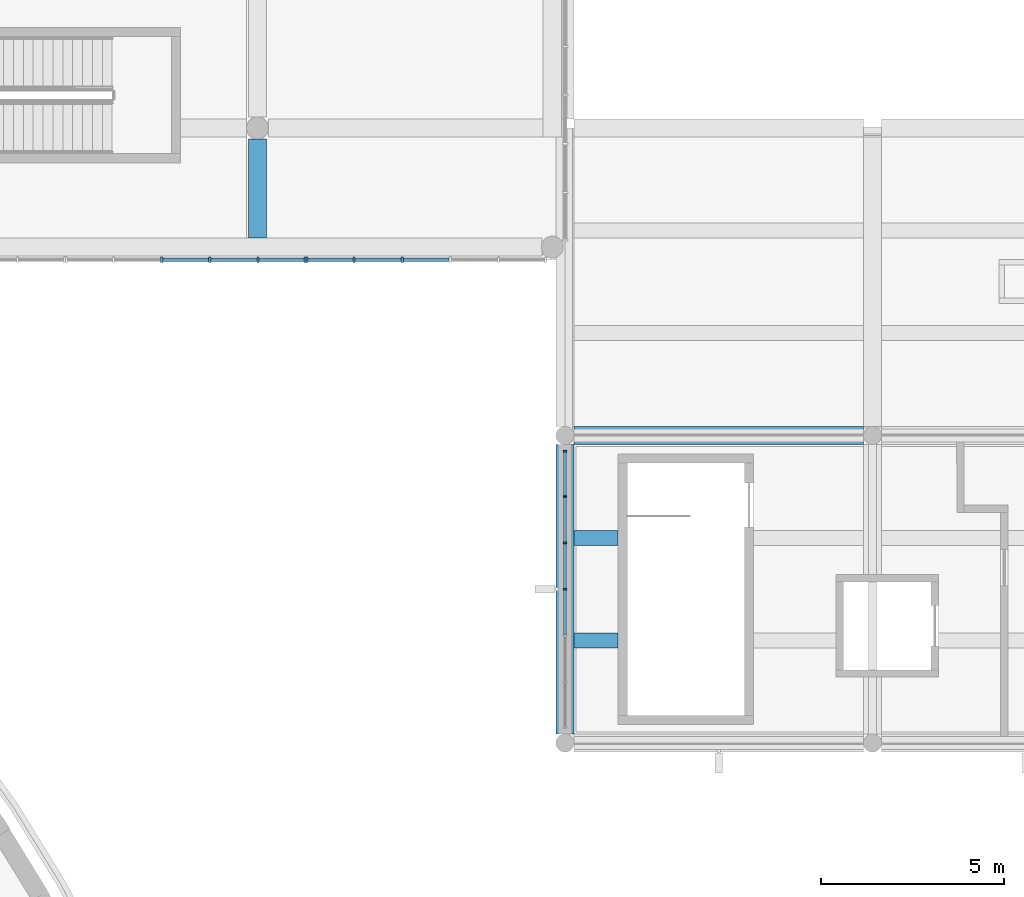
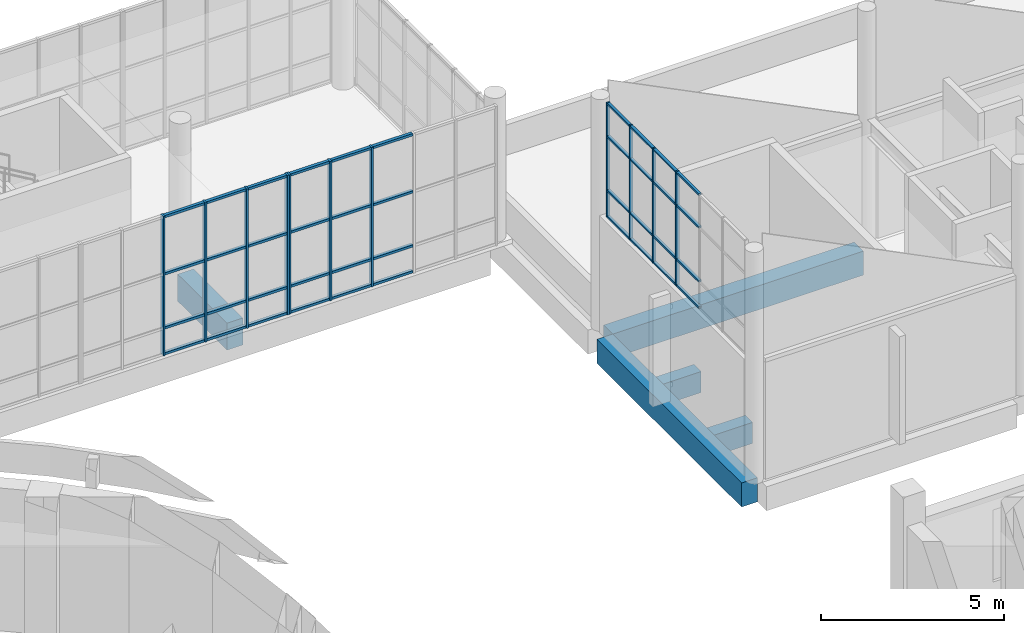
# One storey, part 33 of 119: 51 members, 5 beams, 3 elements without a shape of their own.
"""IFC4 building model written with IfcOpenShell, lengths in metres."""

from ifc_helpers import new_model, si_unit, direction, frame, origin, origin_2d, place, context, subcontext, project, spatial, rectangle, extrude, material, layer, layer_set, material_profile, profile_set, type_object, element, aggregate, save


model = new_model("IFC4")

# Units and contexts
model_context = context("Model", 3, precision=1e-05, world=origin(), true_north=direction((0.0, 1.0)))
body_context = subcontext(model_context, "Body", "Model", "MODEL_VIEW")
ifc_project = project(units=[si_unit("LENGTHUNIT", "METRE"), si_unit("AREAUNIT", "SQUARE_METRE"), si_unit("VOLUMEUNIT", "CUBIC_METRE"), si_unit("PLANEANGLEUNIT", "RADIAN"), si_unit("MASSUNIT", "GRAM", prefix="KILO")], contexts=[model_context])

# Site, building, storey
site_placement = place(None, origin())
site = spatial("IfcSite", under=ifc_project, at=site_placement, CompositionType="ELEMENT")
building_placement = place(site_placement, origin())
building = spatial("IfcBuilding", under=site, at=building_placement, Name="Larchfold Concert Hall", CompositionType="ELEMENT")
storey_placement = place(building_placement, frame((0.0, 0.0, 4.800048828125)))
storey = spatial("IfcBuildingStorey", under=building, at=storey_placement, Name="L01", CompositionType="ELEMENT", Elevation=4.800048828125)

# Curtain wall, members
ifc_material_1 = material(Name="Anodised graphite aluminium curtain wall", Category="aluminium")
ifc_layer_1 = layer(ifc_material_1, 0.10009765625)
ifc_layer_set_1 = layer_set([ifc_layer_1], Name="Anodised graphite aluminium curtain wall")
curtain_wall_type_1 = type_object("IfcCurtainWallType", Name="Curtain wall GL", PredefinedType="NOTDEFINED", material=ifc_layer_set_1)
curtain_wall_1_placement = place(storey_placement, origin())
curtain_wall_1 = element("IfcCurtainWall", 1, at=curtain_wall_1_placement, inside=storey, type_object=curtain_wall_type_1, Name="Curtain wall CW8001", PredefinedType="NOTDEFINED")
ifc_material_2 = material(Name="Anodised graphite aluminium mullion", Category="aluminium")
ifc_material_profile_1 = material_profile(ifc_material_2, rectangle(XDim=0.10009765625, YDim=0.050048828125, at=origin_2d()))
ifc_profile_set_1 = profile_set([ifc_material_profile_1], Name="Anodised graphite aluminium mullion")
member_type_1 = type_object("IfcMemberType", Name="Aluminium mullion 50x100", PredefinedType="MULLION", material=ifc_profile_set_1)
member_1_placement = place(storey_placement, frame((76.199951171875, 114.0, 3.89990234375), z_axis=(0.0, 0.0, 1.0), x_axis=(-1.0, 0.0, 0.0)))
member_1 = element("IfcMember", 2, at=member_1_placement, type_object=member_type_1, Name="CW8001 mullion 4", PredefinedType="MULLION", context=body_context, shape_type="SweptSolid", body=[
    extrude(rectangle(XDim=0.10009765625, YDim=0.050048828125, at=origin_2d()), origin(), (0.0, 0.0, 1.0), 3.823974609375),
])
member_2_placement = place(storey_placement, frame((76.199951171875, 115.2666015625, 3.89990234375), z_axis=(0.0, 0.0, 1.0), x_axis=(-1.0, 0.0, 0.0)))
member_2 = element("IfcMember", 3, at=member_2_placement, type_object=member_type_1, Name="CW8001 mullion 5", PredefinedType="MULLION", context=body_context, shape_type="SweptSolid", body=[
    extrude(rectangle(XDim=0.10009765625, YDim=0.050048828125, at=origin_2d()), origin(), (0.0, 0.0, 1.0), 3.823974609375),
])
member_3_placement = place(storey_placement, frame((76.199951171875, 116.533447265625, 3.89990234375), z_axis=(0.0, 0.0, 1.0), x_axis=(-1.0, 0.0, 0.0)))
member_3 = element("IfcMember", 4, at=member_3_placement, type_object=member_type_1, Name="CW8001 mullion 6", PredefinedType="MULLION", context=body_context, shape_type="SweptSolid", body=[
    extrude(rectangle(XDim=0.10009765625, YDim=0.050048828125, at=origin_2d()), origin(), (0.0, 0.0, 1.0), 3.823974609375),
])
member_4_placement = place(storey_placement, frame((76.199951171875, 117.775146484375, 3.89990234375), z_axis=(0.0, 0.0, 1.0), x_axis=(-1.0, 0.0, 0.0)))
member_4 = element("IfcMember", 5, at=member_4_placement, type_object=member_type_1, Name="CW8001 mullion 7", PredefinedType="MULLION", context=body_context, shape_type="SweptSolid", body=[
    extrude(rectangle(XDim=0.10009765625, YDim=0.050048828125, at=origin_2d()), origin(), (0.0, 0.0, 1.0), 3.823974609375),
])

ifc_material_3 = material(Name="Anodised graphite aluminium curtain wall", Category="aluminium")
ifc_layer_2 = layer(ifc_material_3, 0.14990234375)
ifc_layer_set_2 = layer_set([ifc_layer_2], Name="Anodised graphite aluminium curtain wall")
curtain_wall_type_2 = type_object("IfcCurtainWallType", Name="Curtain wall WG", PredefinedType="NOTDEFINED", material=ifc_layer_set_2)
curtain_wall_2_placement = place(storey_placement, origin())
curtain_wall_2 = element("IfcCurtainWall", 6, at=curtain_wall_2_placement, inside=storey, type_object=curtain_wall_type_2, Name="Curtain wall CW0169", PredefinedType="NOTDEFINED")
ifc_material_4 = material(Name="Anodised graphite aluminium mullion", Category="aluminium")
ifc_material_profile_2 = material_profile(ifc_material_4, rectangle(XDim=0.14990234375, YDim=0.06005859375, at=origin_2d()))
ifc_profile_set_2 = profile_set([ifc_material_profile_2], Name="Anodised graphite aluminium mullion")
member_type_2 = type_object("IfcMemberType", Name="Aluminium mullion 60x150", PredefinedType="MULLION", material=ifc_profile_set_2)
member_5_placement = place(storey_placement, frame((65.18017578125, 123.0, 0.0), z_axis=(0.0, 0.0, 1.0), x_axis=(0.0, 1.0, 0.0)))
member_5 = element("IfcMember", 7, at=member_5_placement, type_object=member_type_2, Name="CW0169 mullion 3", PredefinedType="MULLION", context=body_context, shape_type="SweptSolid", body=[
    extrude(rectangle(XDim=0.14990234375, YDim=0.06005859375, at=origin_2d()), origin(), (0.0, 0.0, 1.0), 4.64990234375),
])
member_6_placement = place(storey_placement, frame((66.494384765625, 123.0, 0.0), z_axis=(0.0, 0.0, 1.0), x_axis=(0.0, 1.0, 0.0)))
member_6 = element("IfcMember", 8, at=member_6_placement, type_object=member_type_2, Name="CW0169 mullion 4", PredefinedType="MULLION", context=body_context, shape_type="SweptSolid", body=[
    extrude(rectangle(XDim=0.14990234375, YDim=0.06005859375, at=origin_2d()), origin(), (0.0, 0.0, 1.0), 4.64990234375),
])
member_7_placement = place(storey_placement, frame((67.808349609375, 123.0, 0.0), z_axis=(0.0, 0.0, 1.0), x_axis=(0.0, 1.0, 0.0)))
member_7 = element("IfcMember", 9, at=member_7_placement, type_object=member_type_2, Name="CW0169 mullion 5", PredefinedType="MULLION", context=body_context, shape_type="SweptSolid", body=[
    extrude(rectangle(XDim=0.14990234375, YDim=0.06005859375, at=origin_2d()), origin(), (0.0, 0.0, 1.0), 4.64990234375),
])
member_8_placement = place(storey_placement, frame((69.09228515625, 123.0, 0.0), z_axis=(0.0, 0.0, 1.0), x_axis=(0.0, 1.0, 0.0)))
member_8 = element("IfcMember", 10, at=member_8_placement, type_object=member_type_2, Name="CW0169 mullion 6", PredefinedType="MULLION", context=body_context, shape_type="SweptSolid", body=[
    extrude(rectangle(XDim=0.14990234375, YDim=0.06005859375, at=origin_2d()), origin(), (0.0, 0.0, 1.0), 4.64990234375),
])

curtain_wall_3_placement = place(storey_placement, origin())
curtain_wall_3 = element("IfcCurtainWall", 11, at=curtain_wall_3_placement, inside=storey, type_object=curtain_wall_type_2, Name="Curtain wall CW0170", PredefinedType="NOTDEFINED")
member_9_placement = place(storey_placement, frame((69.15234375, 123.0, 0.0), z_axis=(0.0, 0.0, 1.0), x_axis=(0.0, 1.0, 0.0)))
member_9 = element("IfcMember", 12, at=member_9_placement, type_object=member_type_2, Name="CW0170 mullion 1", PredefinedType="MULLION", context=body_context, shape_type="SweptSolid", body=[
    extrude(rectangle(XDim=0.14990234375, YDim=0.06005859375, at=origin_2d()), origin(), (0.0, 0.0, 1.0), 4.64990234375),
])
member_10_placement = place(storey_placement, frame((70.436279296875, 123.0, 0.0), z_axis=(0.0, 0.0, 1.0), x_axis=(0.0, 1.0, 0.0)))
member_10 = element("IfcMember", 13, at=member_10_placement, type_object=member_type_2, Name="CW0170 mullion 2", PredefinedType="MULLION", context=body_context, shape_type="SweptSolid", body=[
    extrude(rectangle(XDim=0.14990234375, YDim=0.06005859375, at=origin_2d()), origin(), (0.0, 0.0, 1.0), 4.64990234375),
])
member_11_placement = place(storey_placement, frame((71.75048828125, 123.0, 0.0), z_axis=(0.0, 0.0, 1.0), x_axis=(0.0, 1.0, 0.0)))
member_11 = element("IfcMember", 14, at=member_11_placement, type_object=member_type_2, Name="CW0170 mullion 3", PredefinedType="MULLION", context=body_context, shape_type="SweptSolid", body=[
    extrude(rectangle(XDim=0.14990234375, YDim=0.06005859375, at=origin_2d()), origin(), (0.0, 0.0, 1.0), 4.64990234375),
])

# Member
ifc_material_5 = material(Name="Anodised graphite aluminium transom", Category="aluminium")
ifc_material_profile_3 = material_profile(ifc_material_5, rectangle(XDim=0.090087890625, YDim=0.06005859375, at=origin_2d()))
ifc_profile_set_3 = profile_set([ifc_material_profile_3], Name="Anodised graphite aluminium transom")
member_type_3 = type_object("IfcMemberType", Name="Aluminium transom 60x90", PredefinedType="USERDEFINED", material=ifc_profile_set_3)
member_12_placement = place(storey_placement, frame((76.199951171875, 112.75830078125, 3.929931640625), z_axis=(0.0, 1.0, 0.0), x_axis=(-1.0, 0.0, 0.0)))
member_12 = element("IfcMember", 15, at=member_12_placement, type_object=member_type_3, Name="CW8001 transom 3.1", ObjectType="TRANSOM", PredefinedType="USERDEFINED", context=body_context, shape_type="SweptSolid", body=[
    extrude(rectangle(XDim=0.090087890625, YDim=0.06005859375, at=origin_2d()), origin(), (0.0, 0.0, 1.0), 1.216796875),
])

member_13_placement = place(storey_placement, frame((76.199951171875, 112.75830078125, 4.800048828125), z_axis=(0.0, 1.0, 0.0), x_axis=(-1.0, 0.0, 0.0)))
member_13 = element("IfcMember", 16, at=member_13_placement, type_object=member_type_3, Name="CW8001 transom 3.2", ObjectType="TRANSOM", PredefinedType="USERDEFINED", context=body_context, shape_type="SweptSolid", body=[
    extrude(rectangle(XDim=0.090087890625, YDim=0.06005859375, at=origin_2d()), origin(), (0.0, 0.0, 1.0), 1.216796875),
])

member_14_placement = place(storey_placement, frame((76.199951171875, 112.75830078125, 6.599853515625), z_axis=(0.0, 1.0, 0.0), x_axis=(-1.0, 0.0, 0.0)))
member_14 = element("IfcMember", 17, at=member_14_placement, type_object=member_type_3, Name="CW8001 transom 3.3", ObjectType="TRANSOM", PredefinedType="USERDEFINED", context=body_context, shape_type="SweptSolid", body=[
    extrude(rectangle(XDim=0.090087890625, YDim=0.06005859375, at=origin_2d()), origin(), (0.0, 0.0, 1.0), 1.216796875),
])

member_15_placement = place(storey_placement, frame((76.199951171875, 112.75830078125, 7.69384765625), z_axis=(0.0, 1.0, 0.0), x_axis=(-1.0, 0.0, 0.0)))
member_15 = element("IfcMember", 18, at=member_15_placement, type_object=member_type_3, Name="CW8001 transom 3.4", ObjectType="TRANSOM", PredefinedType="USERDEFINED", context=body_context, shape_type="SweptSolid", body=[
    extrude(rectangle(XDim=0.090087890625, YDim=0.06005859375, at=origin_2d()), origin(), (0.0, 0.0, 1.0), 1.216796875),
])

member_16_placement = place(storey_placement, frame((76.199951171875, 114.02490234375, 3.929931640625), z_axis=(0.0, 1.0, 0.0), x_axis=(-1.0, 0.0, 0.0)))
member_16 = element("IfcMember", 19, at=member_16_placement, type_object=member_type_3, Name="CW8001 transom 4.1", ObjectType="TRANSOM", PredefinedType="USERDEFINED", context=body_context, shape_type="SweptSolid", body=[
    extrude(rectangle(XDim=0.090087890625, YDim=0.06005859375, at=origin_2d()), origin(), (0.0, 0.0, 1.0), 1.216796875),
])

member_17_placement = place(storey_placement, frame((76.199951171875, 114.02490234375, 4.800048828125), z_axis=(0.0, 1.0, 0.0), x_axis=(-1.0, 0.0, 0.0)))
member_17 = element("IfcMember", 20, at=member_17_placement, type_object=member_type_3, Name="CW8001 transom 4.2", ObjectType="TRANSOM", PredefinedType="USERDEFINED", context=body_context, shape_type="SweptSolid", body=[
    extrude(rectangle(XDim=0.090087890625, YDim=0.06005859375, at=origin_2d()), origin(), (0.0, 0.0, 1.0), 1.216796875),
])

member_18_placement = place(storey_placement, frame((76.199951171875, 114.02490234375, 6.599853515625), z_axis=(0.0, 1.0, 0.0), x_axis=(-1.0, 0.0, 0.0)))
member_18 = element("IfcMember", 21, at=member_18_placement, type_object=member_type_3, Name="CW8001 transom 4.3", ObjectType="TRANSOM", PredefinedType="USERDEFINED", context=body_context, shape_type="SweptSolid", body=[
    extrude(rectangle(XDim=0.090087890625, YDim=0.06005859375, at=origin_2d()), origin(), (0.0, 0.0, 1.0), 1.216796875),
])

member_19_placement = place(storey_placement, frame((76.199951171875, 114.02490234375, 7.69384765625), z_axis=(0.0, 1.0, 0.0), x_axis=(-1.0, 0.0, 0.0)))
member_19 = element("IfcMember", 22, at=member_19_placement, type_object=member_type_3, Name="CW8001 transom 4.4", ObjectType="TRANSOM", PredefinedType="USERDEFINED", context=body_context, shape_type="SweptSolid", body=[
    extrude(rectangle(XDim=0.090087890625, YDim=0.06005859375, at=origin_2d()), origin(), (0.0, 0.0, 1.0), 1.216796875),
])

member_20_placement = place(storey_placement, frame((76.199951171875, 115.291748046875, 3.929931640625), z_axis=(0.0, 1.0, 0.0), x_axis=(-1.0, 0.0, 0.0)))
member_20 = element("IfcMember", 23, at=member_20_placement, type_object=member_type_3, Name="CW8001 transom 5.1", ObjectType="TRANSOM", PredefinedType="USERDEFINED", context=body_context, shape_type="SweptSolid", body=[
    extrude(rectangle(XDim=0.090087890625, YDim=0.06005859375, at=origin_2d()), origin(), (0.0, 0.0, 1.0), 1.216552734375),
])

member_21_placement = place(storey_placement, frame((76.199951171875, 115.291748046875, 4.800048828125), z_axis=(0.0, 1.0, 0.0), x_axis=(-1.0, 0.0, 0.0)))
member_21 = element("IfcMember", 24, at=member_21_placement, type_object=member_type_3, Name="CW8001 transom 5.2", ObjectType="TRANSOM", PredefinedType="USERDEFINED", context=body_context, shape_type="SweptSolid", body=[
    extrude(rectangle(XDim=0.090087890625, YDim=0.06005859375, at=origin_2d()), origin(), (0.0, 0.0, 1.0), 1.216552734375),
])

member_22_placement = place(storey_placement, frame((76.199951171875, 115.291748046875, 6.599853515625), z_axis=(0.0, 1.0, 0.0), x_axis=(-1.0, 0.0, 0.0)))
member_22 = element("IfcMember", 25, at=member_22_placement, type_object=member_type_3, Name="CW8001 transom 5.3", ObjectType="TRANSOM", PredefinedType="USERDEFINED", context=body_context, shape_type="SweptSolid", body=[
    extrude(rectangle(XDim=0.090087890625, YDim=0.06005859375, at=origin_2d()), origin(), (0.0, 0.0, 1.0), 1.216552734375),
])

member_23_placement = place(storey_placement, frame((76.199951171875, 115.291748046875, 7.69384765625), z_axis=(0.0, 1.0, 0.0), x_axis=(-1.0, 0.0, 0.0)))
member_23 = element("IfcMember", 26, at=member_23_placement, type_object=member_type_3, Name="CW8001 transom 5.4", ObjectType="TRANSOM", PredefinedType="USERDEFINED", context=body_context, shape_type="SweptSolid", body=[
    extrude(rectangle(XDim=0.090087890625, YDim=0.06005859375, at=origin_2d()), origin(), (0.0, 0.0, 1.0), 1.216552734375),
])

member_24_placement = place(storey_placement, frame((76.199951171875, 116.558349609375, 3.929931640625), z_axis=(0.0, 1.0, 0.0), x_axis=(-1.0, 0.0, 0.0)))
member_24 = element("IfcMember", 27, at=member_24_placement, type_object=member_type_3, Name="CW8001 transom 6.1", ObjectType="TRANSOM", PredefinedType="USERDEFINED", context=body_context, shape_type="SweptSolid", body=[
    extrude(rectangle(XDim=0.090087890625, YDim=0.06005859375, at=origin_2d()), origin(), (0.0, 0.0, 1.0), 1.191650390625),
])

member_25_placement = place(storey_placement, frame((76.199951171875, 116.558349609375, 4.800048828125), z_axis=(0.0, 1.0, 0.0), x_axis=(-1.0, 0.0, 0.0)))
member_25 = element("IfcMember", 28, at=member_25_placement, type_object=member_type_3, Name="CW8001 transom 6.2", ObjectType="TRANSOM", PredefinedType="USERDEFINED", context=body_context, shape_type="SweptSolid", body=[
    extrude(rectangle(XDim=0.090087890625, YDim=0.06005859375, at=origin_2d()), origin(), (0.0, 0.0, 1.0), 1.191650390625),
])

member_26_placement = place(storey_placement, frame((76.199951171875, 116.558349609375, 6.599853515625), z_axis=(0.0, 1.0, 0.0), x_axis=(-1.0, 0.0, 0.0)))
member_26 = element("IfcMember", 29, at=member_26_placement, type_object=member_type_3, Name="CW8001 transom 6.3", ObjectType="TRANSOM", PredefinedType="USERDEFINED", context=body_context, shape_type="SweptSolid", body=[
    extrude(rectangle(XDim=0.090087890625, YDim=0.06005859375, at=origin_2d()), origin(), (0.0, 0.0, 1.0), 1.191650390625),
])

member_27_placement = place(storey_placement, frame((76.199951171875, 116.558349609375, 7.69384765625), z_axis=(0.0, 1.0, 0.0), x_axis=(-1.0, 0.0, 0.0)))
member_27 = element("IfcMember", 30, at=member_27_placement, type_object=member_type_3, Name="CW8001 transom 6.4", ObjectType="TRANSOM", PredefinedType="USERDEFINED", context=body_context, shape_type="SweptSolid", body=[
    extrude(rectangle(XDim=0.090087890625, YDim=0.06005859375, at=origin_2d()), origin(), (0.0, 0.0, 1.0), 1.191650390625),
])

aggregate(curtain_wall_1, [member_1, member_2, member_3, member_4, member_12, member_13, member_14, member_15, member_16, member_17, member_18, member_19, member_20, member_21, member_22, member_23, member_24, member_25, member_26, member_27])

ifc_material_6 = material(Name="Anodised graphite aluminium transom", Category="aluminium")
ifc_material_profile_4 = material_profile(ifc_material_6, rectangle(XDim=0.10009765625, YDim=0.080078125, at=origin_2d()))
ifc_profile_set_4 = profile_set([ifc_material_profile_4], Name="Anodised graphite aluminium transom")
member_type_4 = type_object("IfcMemberType", Name="Aluminium transom 80x100", PredefinedType="USERDEFINED", material=ifc_profile_set_4)
member_28_placement = place(storey_placement, frame((65.210205078125, 123.0, 0.0400390625), z_axis=(1.0, 0.0, 0.0), x_axis=(0.0, 1.0, 0.0)))
member_28 = element("IfcMember", 31, at=member_28_placement, type_object=member_type_4, Name="CW0169 transom 3.1", ObjectType="TRANSOM", PredefinedType="USERDEFINED", context=body_context, shape_type="SweptSolid", body=[
    extrude(rectangle(XDim=0.10009765625, YDim=0.080078125, at=origin_2d()), origin(), (0.0, 0.0, 1.0), 1.254150390625),
])

member_29_placement = place(storey_placement, frame((65.210205078125, 123.0, 0.89990234375), z_axis=(1.0, 0.0, 0.0), x_axis=(0.0, 1.0, 0.0)))
member_29 = element("IfcMember", 32, at=member_29_placement, type_object=member_type_4, Name="CW0169 transom 3.2", ObjectType="TRANSOM", PredefinedType="USERDEFINED", context=body_context, shape_type="SweptSolid", body=[
    extrude(rectangle(XDim=0.10009765625, YDim=0.080078125, at=origin_2d()), origin(), (0.0, 0.0, 1.0), 1.254150390625),
])

member_30_placement = place(storey_placement, frame((65.210205078125, 123.0, 2.699951171875), z_axis=(1.0, 0.0, 0.0), x_axis=(0.0, 1.0, 0.0)))
member_30 = element("IfcMember", 33, at=member_30_placement, type_object=member_type_4, Name="CW0169 transom 3.3", ObjectType="TRANSOM", PredefinedType="USERDEFINED", context=body_context, shape_type="SweptSolid", body=[
    extrude(rectangle(XDim=0.10009765625, YDim=0.080078125, at=origin_2d()), origin(), (0.0, 0.0, 1.0), 1.254150390625),
])

member_31_placement = place(storey_placement, frame((65.210205078125, 123.0, 4.60986328125), z_axis=(1.0, 0.0, 0.0), x_axis=(0.0, 1.0, 0.0)))
member_31 = element("IfcMember", 34, at=member_31_placement, type_object=member_type_4, Name="CW0169 transom 3.4", ObjectType="TRANSOM", PredefinedType="USERDEFINED", context=body_context, shape_type="SweptSolid", body=[
    extrude(rectangle(XDim=0.10009765625, YDim=0.080078125, at=origin_2d()), origin(), (0.0, 0.0, 1.0), 1.254150390625),
])

member_32_placement = place(storey_placement, frame((66.524169921875, 123.0, 0.0400390625), z_axis=(1.0, 0.0, 0.0), x_axis=(0.0, 1.0, 0.0)))
member_32 = element("IfcMember", 35, at=member_32_placement, type_object=member_type_4, Name="CW0169 transom 4.1", ObjectType="TRANSOM", PredefinedType="USERDEFINED", context=body_context, shape_type="SweptSolid", body=[
    extrude(rectangle(XDim=0.10009765625, YDim=0.080078125, at=origin_2d()), origin(), (0.0, 0.0, 1.0), 1.254150390625),
])

member_33_placement = place(storey_placement, frame((66.524169921875, 123.0, 0.89990234375), z_axis=(1.0, 0.0, 0.0), x_axis=(0.0, 1.0, 0.0)))
member_33 = element("IfcMember", 36, at=member_33_placement, type_object=member_type_4, Name="CW0169 transom 4.2", ObjectType="TRANSOM", PredefinedType="USERDEFINED", context=body_context, shape_type="SweptSolid", body=[
    extrude(rectangle(XDim=0.10009765625, YDim=0.080078125, at=origin_2d()), origin(), (0.0, 0.0, 1.0), 1.254150390625),
])

member_34_placement = place(storey_placement, frame((66.524169921875, 123.0, 2.699951171875), z_axis=(1.0, 0.0, 0.0), x_axis=(0.0, 1.0, 0.0)))
member_34 = element("IfcMember", 37, at=member_34_placement, type_object=member_type_4, Name="CW0169 transom 4.3", ObjectType="TRANSOM", PredefinedType="USERDEFINED", context=body_context, shape_type="SweptSolid", body=[
    extrude(rectangle(XDim=0.10009765625, YDim=0.080078125, at=origin_2d()), origin(), (0.0, 0.0, 1.0), 1.254150390625),
])

member_35_placement = place(storey_placement, frame((66.524169921875, 123.0, 4.60986328125), z_axis=(1.0, 0.0, 0.0), x_axis=(0.0, 1.0, 0.0)))
member_35 = element("IfcMember", 38, at=member_35_placement, type_object=member_type_4, Name="CW0169 transom 4.4", ObjectType="TRANSOM", PredefinedType="USERDEFINED", context=body_context, shape_type="SweptSolid", body=[
    extrude(rectangle(XDim=0.10009765625, YDim=0.080078125, at=origin_2d()), origin(), (0.0, 0.0, 1.0), 1.254150390625),
])

member_36_placement = place(storey_placement, frame((67.83837890625, 123.0, 0.0400390625), z_axis=(1.0, 0.0, 0.0), x_axis=(0.0, 1.0, 0.0)))
member_36 = element("IfcMember", 39, at=member_36_placement, type_object=member_type_4, Name="CW0169 transom 5.1", ObjectType="TRANSOM", PredefinedType="USERDEFINED", context=body_context, shape_type="SweptSolid", body=[
    extrude(rectangle(XDim=0.10009765625, YDim=0.080078125, at=origin_2d()), origin(), (0.0, 0.0, 1.0), 1.223876953125),
])

member_37_placement = place(storey_placement, frame((67.83837890625, 123.0, 0.89990234375), z_axis=(1.0, 0.0, 0.0), x_axis=(0.0, 1.0, 0.0)))
member_37 = element("IfcMember", 40, at=member_37_placement, type_object=member_type_4, Name="CW0169 transom 5.2", ObjectType="TRANSOM", PredefinedType="USERDEFINED", context=body_context, shape_type="SweptSolid", body=[
    extrude(rectangle(XDim=0.10009765625, YDim=0.080078125, at=origin_2d()), origin(), (0.0, 0.0, 1.0), 1.223876953125),
])

member_38_placement = place(storey_placement, frame((67.83837890625, 123.0, 2.699951171875), z_axis=(1.0, 0.0, 0.0), x_axis=(0.0, 1.0, 0.0)))
member_38 = element("IfcMember", 41, at=member_38_placement, type_object=member_type_4, Name="CW0169 transom 5.3", ObjectType="TRANSOM", PredefinedType="USERDEFINED", context=body_context, shape_type="SweptSolid", body=[
    extrude(rectangle(XDim=0.10009765625, YDim=0.080078125, at=origin_2d()), origin(), (0.0, 0.0, 1.0), 1.223876953125),
])

member_39_placement = place(storey_placement, frame((67.83837890625, 123.0, 4.60986328125), z_axis=(1.0, 0.0, 0.0), x_axis=(0.0, 1.0, 0.0)))
member_39 = element("IfcMember", 42, at=member_39_placement, type_object=member_type_4, Name="CW0169 transom 5.4", ObjectType="TRANSOM", PredefinedType="USERDEFINED", context=body_context, shape_type="SweptSolid", body=[
    extrude(rectangle(XDim=0.10009765625, YDim=0.080078125, at=origin_2d()), origin(), (0.0, 0.0, 1.0), 1.223876953125),
])

aggregate(curtain_wall_2, [member_5, member_6, member_7, member_8, member_28, member_29, member_30, member_31, member_32, member_33, member_34, member_35, member_36, member_37, member_38, member_39])

member_40_placement = place(storey_placement, frame((69.182373046875, 123.0, 0.0400390625), z_axis=(1.0, 0.0, 0.0), x_axis=(0.0, 1.0, 0.0)))
member_40 = element("IfcMember", 43, at=member_40_placement, type_object=member_type_4, Name="CW0170 transom 1.1", ObjectType="TRANSOM", PredefinedType="USERDEFINED", context=body_context, shape_type="SweptSolid", body=[
    extrude(rectangle(XDim=0.10009765625, YDim=0.080078125, at=origin_2d()), origin(), (0.0, 0.0, 1.0), 1.22412109375),
])

member_41_placement = place(storey_placement, frame((69.182373046875, 123.0, 0.89990234375), z_axis=(1.0, 0.0, 0.0), x_axis=(0.0, 1.0, 0.0)))
member_41 = element("IfcMember", 44, at=member_41_placement, type_object=member_type_4, Name="CW0170 transom 1.2", ObjectType="TRANSOM", PredefinedType="USERDEFINED", context=body_context, shape_type="SweptSolid", body=[
    extrude(rectangle(XDim=0.10009765625, YDim=0.080078125, at=origin_2d()), origin(), (0.0, 0.0, 1.0), 1.22412109375),
])

member_42_placement = place(storey_placement, frame((69.182373046875, 123.0, 2.699951171875), z_axis=(1.0, 0.0, 0.0), x_axis=(0.0, 1.0, 0.0)))
member_42 = element("IfcMember", 45, at=member_42_placement, type_object=member_type_4, Name="CW0170 transom 1.3", ObjectType="TRANSOM", PredefinedType="USERDEFINED", context=body_context, shape_type="SweptSolid", body=[
    extrude(rectangle(XDim=0.10009765625, YDim=0.080078125, at=origin_2d()), origin(), (0.0, 0.0, 1.0), 1.22412109375),
])

member_43_placement = place(storey_placement, frame((69.182373046875, 123.0, 4.60986328125), z_axis=(1.0, 0.0, 0.0), x_axis=(0.0, 1.0, 0.0)))
member_43 = element("IfcMember", 46, at=member_43_placement, type_object=member_type_4, Name="CW0170 transom 1.4", ObjectType="TRANSOM", PredefinedType="USERDEFINED", context=body_context, shape_type="SweptSolid", body=[
    extrude(rectangle(XDim=0.10009765625, YDim=0.080078125, at=origin_2d()), origin(), (0.0, 0.0, 1.0), 1.22412109375),
])

member_44_placement = place(storey_placement, frame((70.46630859375, 123.0, 0.0400390625), z_axis=(1.0, 0.0, 0.0), x_axis=(0.0, 1.0, 0.0)))
member_44 = element("IfcMember", 47, at=member_44_placement, type_object=member_type_4, Name="CW0170 transom 2.1", ObjectType="TRANSOM", PredefinedType="USERDEFINED", context=body_context, shape_type="SweptSolid", body=[
    extrude(rectangle(XDim=0.10009765625, YDim=0.080078125, at=origin_2d()), origin(), (0.0, 0.0, 1.0), 1.254150390625),
])

member_45_placement = place(storey_placement, frame((70.46630859375, 123.0, 0.89990234375), z_axis=(1.0, 0.0, 0.0), x_axis=(0.0, 1.0, 0.0)))
member_45 = element("IfcMember", 48, at=member_45_placement, type_object=member_type_4, Name="CW0170 transom 2.2", ObjectType="TRANSOM", PredefinedType="USERDEFINED", context=body_context, shape_type="SweptSolid", body=[
    extrude(rectangle(XDim=0.10009765625, YDim=0.080078125, at=origin_2d()), origin(), (0.0, 0.0, 1.0), 1.254150390625),
])

member_46_placement = place(storey_placement, frame((70.46630859375, 123.0, 2.699951171875), z_axis=(1.0, 0.0, 0.0), x_axis=(0.0, 1.0, 0.0)))
member_46 = element("IfcMember", 49, at=member_46_placement, type_object=member_type_4, Name="CW0170 transom 2.3", ObjectType="TRANSOM", PredefinedType="USERDEFINED", context=body_context, shape_type="SweptSolid", body=[
    extrude(rectangle(XDim=0.10009765625, YDim=0.080078125, at=origin_2d()), origin(), (0.0, 0.0, 1.0), 1.254150390625),
])

member_47_placement = place(storey_placement, frame((70.46630859375, 123.0, 4.60986328125), z_axis=(1.0, 0.0, 0.0), x_axis=(0.0, 1.0, 0.0)))
member_47 = element("IfcMember", 50, at=member_47_placement, type_object=member_type_4, Name="CW0170 transom 2.4", ObjectType="TRANSOM", PredefinedType="USERDEFINED", context=body_context, shape_type="SweptSolid", body=[
    extrude(rectangle(XDim=0.10009765625, YDim=0.080078125, at=origin_2d()), origin(), (0.0, 0.0, 1.0), 1.254150390625),
])

member_48_placement = place(storey_placement, frame((71.780517578125, 123.0, 0.0400390625), z_axis=(1.0, 0.0, 0.0), x_axis=(0.0, 1.0, 0.0)))
member_48 = element("IfcMember", 51, at=member_48_placement, type_object=member_type_4, Name="CW0170 transom 3.1", ObjectType="TRANSOM", PredefinedType="USERDEFINED", context=body_context, shape_type="SweptSolid", body=[
    extrude(rectangle(XDim=0.10009765625, YDim=0.080078125, at=origin_2d()), origin(), (0.0, 0.0, 1.0), 1.25390625),
])

member_49_placement = place(storey_placement, frame((71.780517578125, 123.0, 0.89990234375), z_axis=(1.0, 0.0, 0.0), x_axis=(0.0, 1.0, 0.0)))
member_49 = element("IfcMember", 52, at=member_49_placement, type_object=member_type_4, Name="CW0170 transom 3.2", ObjectType="TRANSOM", PredefinedType="USERDEFINED", context=body_context, shape_type="SweptSolid", body=[
    extrude(rectangle(XDim=0.10009765625, YDim=0.080078125, at=origin_2d()), origin(), (0.0, 0.0, 1.0), 1.25390625),
])

member_50_placement = place(storey_placement, frame((71.780517578125, 123.0, 2.699951171875), z_axis=(1.0, 0.0, 0.0), x_axis=(0.0, 1.0, 0.0)))
member_50 = element("IfcMember", 53, at=member_50_placement, type_object=member_type_4, Name="CW0170 transom 3.3", ObjectType="TRANSOM", PredefinedType="USERDEFINED", context=body_context, shape_type="SweptSolid", body=[
    extrude(rectangle(XDim=0.10009765625, YDim=0.080078125, at=origin_2d()), origin(), (0.0, 0.0, 1.0), 1.25390625),
])

member_51_placement = place(storey_placement, frame((71.780517578125, 123.0, 4.60986328125), z_axis=(1.0, 0.0, 0.0), x_axis=(0.0, 1.0, 0.0)))
member_51 = element("IfcMember", 54, at=member_51_placement, type_object=member_type_4, Name="CW0170 transom 3.4", ObjectType="TRANSOM", PredefinedType="USERDEFINED", context=body_context, shape_type="SweptSolid", body=[
    extrude(rectangle(XDim=0.10009765625, YDim=0.080078125, at=origin_2d()), origin(), (0.0, 0.0, 1.0), 1.25390625),
])

aggregate(curtain_wall_3, [member_9, member_10, member_11, member_40, member_41, member_42, member_43, member_44, member_45, member_46, member_47, member_48, member_49, member_50, member_51])

# Beams
ifc_material_7 = material(Name="Concrete C35/45", Category="concrete")
ifc_material_profile_5 = material_profile(ifc_material_7, rectangle(XDim=0.39990234375, YDim=0.699951171875, at=origin_2d()))
ifc_profile_set_5 = profile_set([ifc_material_profile_5], Name="Concrete C35/45")
beam_type_1 = type_object("IfcBeamType", Name="Beam RC 400x700", PredefinedType="BEAM", material=ifc_profile_set_5)
for number, where, z_axis, x_axis, name in (
    (55, (76.449951171875, 112.60009765625, -0.550048828125), (1.0, 0.0, 0.0), (0.0, 1.0, 0.0), "Beam B1090"),
    (56, (76.449951171875, 115.39990234375, -0.550048828125), (1.0, 0.0, 0.0), (0.0, 1.0, 0.0), "Beam B1095"),
):
    element("IfcBeam", number, at=place(storey_placement, frame(where, z_axis=z_axis, x_axis=x_axis)), inside=storey, type_object=beam_type_1, Name=name, PredefinedType="BEAM", context=body_context, shape_type="SweptSolid", body=[
        extrude(rectangle(XDim=0.39990234375, YDim=0.699951171875, at=origin_2d()), origin(), (0.0, 0.0, 1.0), 1.199951171875),
    ])
ifc_material_8 = material(Name="Concrete C35/45", Category="concrete")
ifc_material_profile_6 = material_profile(ifc_material_8, rectangle(XDim=0.5, YDim=0.800048828125, at=origin_2d()))
ifc_profile_set_6 = profile_set([ifc_material_profile_6], Name="Concrete C35/45")
beam_type_2 = type_object("IfcBeamType", Name="Beam RC 500x800", PredefinedType="BEAM", material=ifc_profile_set_6)
beam_1_placement = place(storey_placement, frame((76.199951171875, 110.048828125, -0.60009765625), z_axis=(0.0, 1.0, 0.0), x_axis=(-1.0, 0.0, 0.0)))
element("IfcBeam", 57, at=beam_1_placement, inside=storey, type_object=beam_type_2, Name="Beam B1072", PredefinedType="BEAM", context=body_context, shape_type="SweptSolid", body=[
    extrude(rectangle(XDim=0.5, YDim=0.800048828125, at=origin_2d()), origin(), (0.0, 0.0, 1.0), 7.90234375),
])
beam_2_placement = place(storey_placement, frame((76.448974609375, 118.199951171875, -0.60009765625), z_axis=(1.0, 0.0, 0.0), x_axis=(0.0, 1.0, 0.0)))
element("IfcBeam", 58, at=beam_2_placement, inside=storey, type_object=beam_type_2, Name="Beam B1084", PredefinedType="BEAM", context=body_context, shape_type="SweptSolid", body=[
    extrude(rectangle(XDim=0.5, YDim=0.800048828125, at=origin_2d()), origin(), (0.0, 0.0, 1.0), 7.902099609375),
])
ifc_material_9 = material(Name="Concrete C35/45", Category="concrete")
ifc_material_profile_7 = material_profile(ifc_material_9, rectangle(XDim=0.5, YDim=0.89990234375, at=origin_2d()))
ifc_profile_set_7 = profile_set([ifc_material_profile_7], Name="Concrete C35/45")
beam_type_3 = type_object("IfcBeamType", Name="Beam RC 500x900", PredefinedType="BEAM", material=ifc_profile_set_7)
beam_3_placement = place(storey_placement, frame((67.800048828125, 123.60009765625, -0.60009765625), z_axis=(0.0, 1.0, 0.0), x_axis=(-1.0, 0.0, 0.0)))
element("IfcBeam", 59, at=beam_3_placement, inside=storey, type_object=beam_type_3, Name="Beam B1909", PredefinedType="BEAM", context=body_context, shape_type="SweptSolid", body=[
    extrude(rectangle(XDim=0.5, YDim=0.89990234375, at=origin_2d()), origin(), (0.0, 0.0, 1.0), 2.701171875),
])

save(model, "model.ifc")
